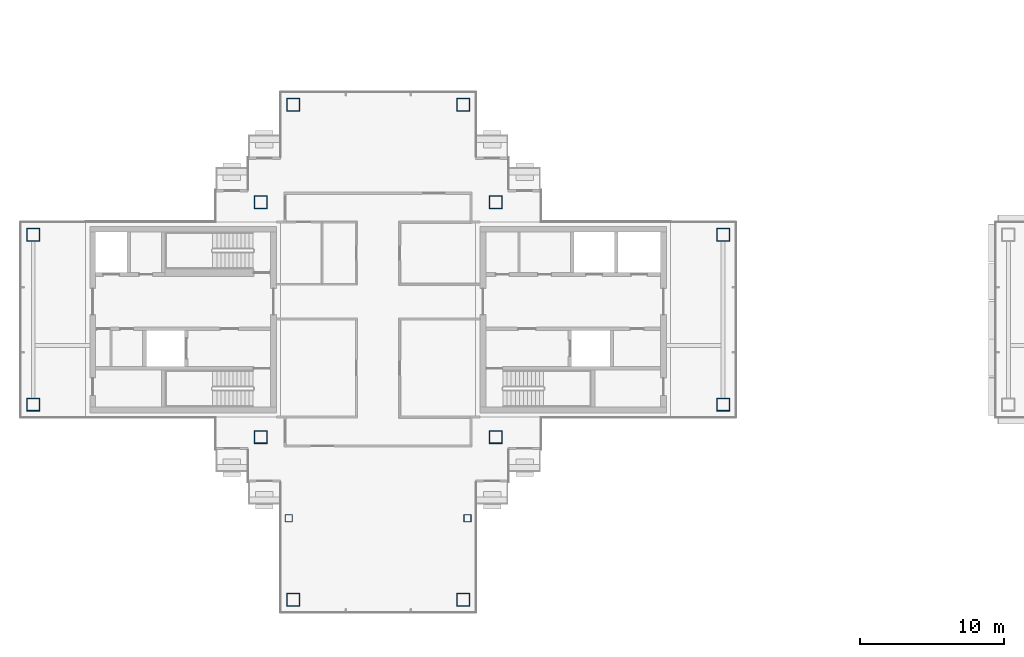
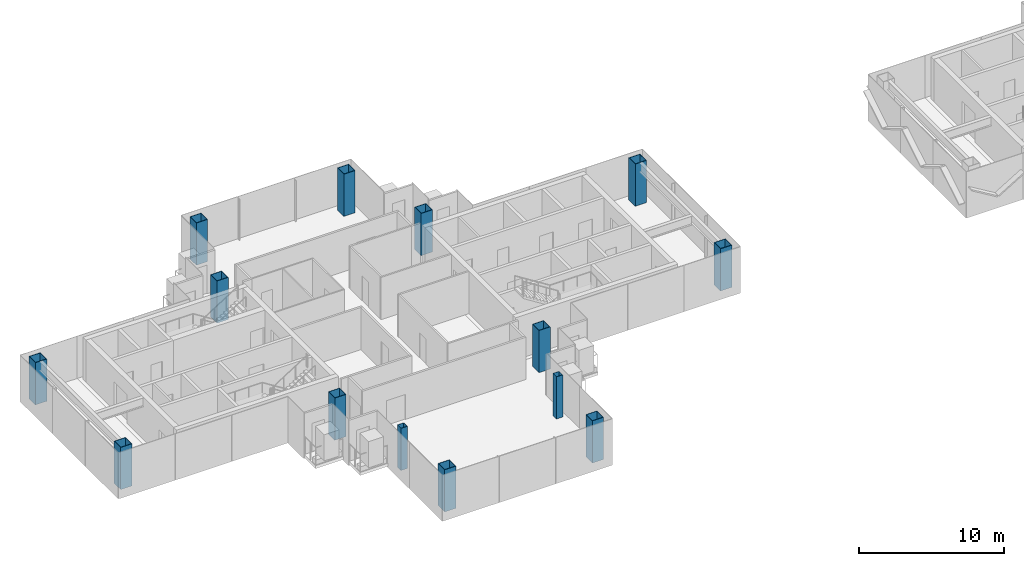
# One storey, part 1 of 17: 14 columns.
"""IFC4 building model written with IfcOpenShell, lengths in metres."""

from ifc_helpers import new_model, si_unit, direction, frame, origin, origin_2d, place, context, subcontext, project, spatial, hollow_rectangle, extrude, material, material_profile, profile_set, type_object, element, save


model = new_model("IFC4")

# Units and contexts
model_context = context("Model", 3, precision=1e-05, world=origin(), true_north=direction((0.0, 1.0)))
body_context = subcontext(model_context, "Body", "Model", "MODEL_VIEW")
ifc_project = project(units=[si_unit("LENGTHUNIT", "METRE"), si_unit("AREAUNIT", "SQUARE_METRE"), si_unit("VOLUMEUNIT", "CUBIC_METRE"), si_unit("PLANEANGLEUNIT", "RADIAN"), si_unit("MASSUNIT", "GRAM", prefix="KILO")], contexts=[model_context])

# Site, building, storey
site_placement = place(None, origin())
site = spatial("IfcSite", under=ifc_project, at=site_placement, CompositionType="ELEMENT")
building_placement = place(site_placement, origin())
building = spatial("IfcBuilding", under=site, at=building_placement, Name="Shamsa Quay Exchange Towers", CompositionType="ELEMENT")
storey_placement = place(building_placement, frame((0.0, 0.0, 253.800048828125)))
storey = spatial("IfcBuildingStorey", under=building, at=storey_placement, Name="L61", CompositionType="ELEMENT", Elevation=253.800048828125)

# Columns
ifc_material_1 = material(Name="Concrete-filled steel tube S355 / C60/75", Category="concrete")
ifc_material_profile_1 = material_profile(ifc_material_1, hollow_rectangle(XDim=0.5, YDim=0.5, WallThickness=0.01611328125, at=origin_2d()), Name="CFT 500x500x16")
ifc_profile_set_1 = profile_set([ifc_material_profile_1], Name="Concrete-filled steel tube S355 / C60/75")
column_type_1 = type_object("IfcColumnType", Name="Column CFT 500x500x16", PredefinedType="COLUMN", material=ifc_profile_set_1)
for number, where, name in (
    (1, (-39.9375, -13.75, 0.0), "Perimeter column T1-CP19"),
    (2, (-27.5625, -13.75, 0.0), "Perimeter column T1-CP22"),
):
    element("IfcColumn", number, at=place(storey_placement, frame(where)), inside=storey, type_object=column_type_1, Name=name, PredefinedType="COLUMN", context=body_context, shape_type="SweptSolid", body=[
        extrude(hollow_rectangle(XDim=0.5, YDim=0.5, WallThickness=0.01611328125, at=origin_2d()), origin(), (0.0, 0.0, 1.0), 3.550048828125),
    ])
ifc_material_2 = material(Name="Concrete-filled steel tube S355 / C80/95", Category="concrete")
ifc_material_profile_2 = material_profile(ifc_material_2, hollow_rectangle(XDim=0.89990234375, YDim=0.89990234375, WallThickness=0.035888671875, at=origin_2d()), Name="CFT 900x900x36")
ifc_profile_set_2 = profile_set([ifc_material_profile_2], Name="Concrete-filled steel tube S355 / C80/95")
column_type_2 = type_object("IfcColumnType", Name="Column CFT 900x900x36", PredefinedType="COLUMN", material=ifc_profile_set_2)
for number, where, name in (
    (3, (-25.625, 8.125, 0.0), "Mega column T1-CM01"),
    (4, (-25.625, -8.125, 0.0), "Mega column T1-CM02"),
    (5, (-41.875, 8.125, 0.0), "Mega column T1-CM03"),
    (6, (-41.875, -8.125, 0.0), "Mega column T1-CM04"),
    (7, (-9.875, -5.875, 0.0), "Mega column T1-CM05"),
    (8, (-9.875, 5.875, 0.0), "Mega column T1-CM07"),
    (9, (-57.625, -5.875, 0.0), "Mega column T1-CM09"),
    (10, (-57.625, 5.875, 0.0), "Mega column T1-CM11"),
    (11, (-39.625, 14.875, 0.0), "Mega column T1-CM13"),
    (12, (-27.875, 14.875, 0.0), "Mega column T1-CM16"),
    (13, (-39.625, -19.375, 0.0), "Mega column T1-CM20"),
    (14, (-27.875, -19.375, 0.0), "Mega column T1-CM23"),
):
    element("IfcColumn", number, at=place(storey_placement, frame(where)), inside=storey, type_object=column_type_2, Name=name, PredefinedType="COLUMN", context=body_context, shape_type="SweptSolid", body=[
        extrude(hollow_rectangle(XDim=0.89990234375, YDim=0.89990234375, WallThickness=0.035888671875, at=origin_2d()), origin(), (0.0, 0.0, 1.0), 3.550048828125),
    ])

save(model, "model.ifc")
